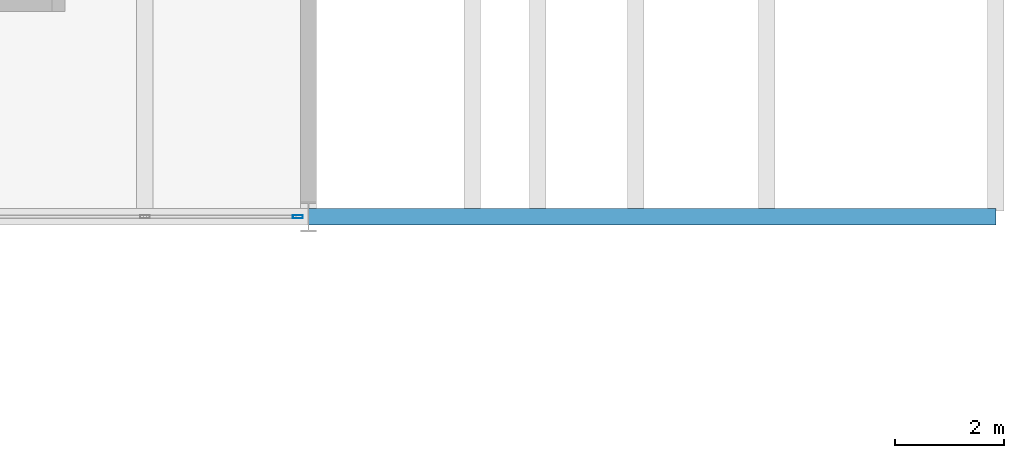
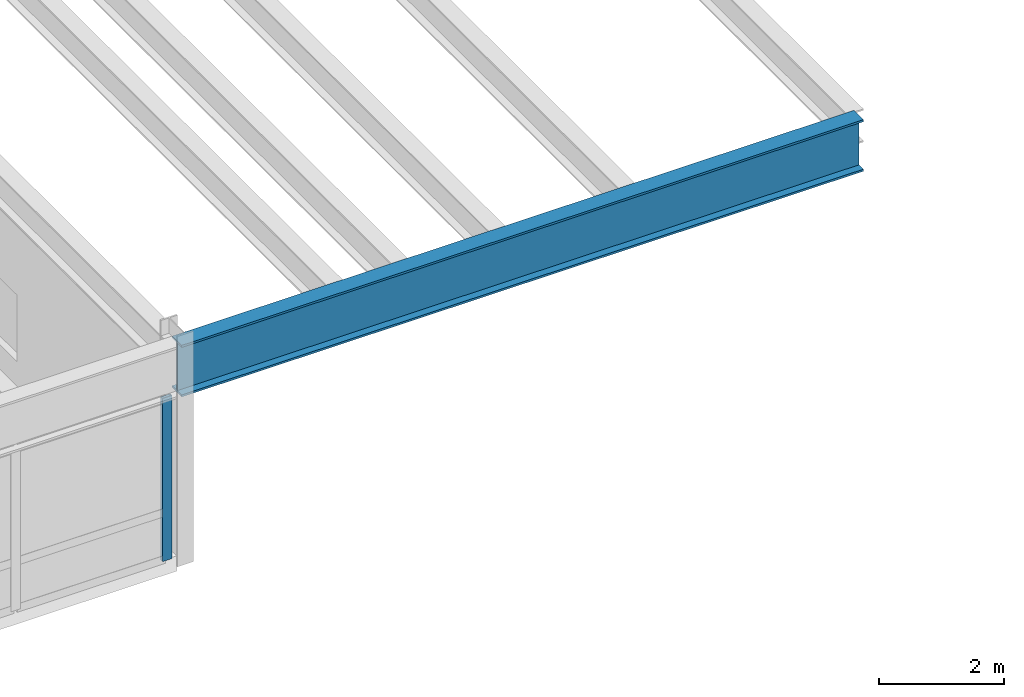
# One storey, part 93 of 127: 1 beam, 1 member, 1 element without a shape of its own.
"""IFC4 building model written with IfcOpenShell, lengths in metres."""

from ifc_helpers import new_model, si_unit, direction, frame, origin, origin_2d, place, context, subcontext, project, spatial, hollow_rectangle, i_section, extrude, material, layer, layer_set, material_profile, profile_set, type_object, element, aggregate, save


model = new_model("IFC4")

# Units and contexts
model_context = context("Model", 3, precision=1e-05, world=origin(), true_north=direction((0.0, 1.0)))
body_context = subcontext(model_context, "Body", "Model", "MODEL_VIEW")
ifc_project = project(units=[si_unit("LENGTHUNIT", "METRE"), si_unit("AREAUNIT", "SQUARE_METRE"), si_unit("VOLUMEUNIT", "CUBIC_METRE"), si_unit("PLANEANGLEUNIT", "RADIAN"), si_unit("MASSUNIT", "GRAM", prefix="KILO")], contexts=[model_context])

# Site, building, storey
site_placement = place(None, origin())
site = spatial("IfcSite", under=ifc_project, at=site_placement, CompositionType="ELEMENT")
building_placement = place(site_placement, origin())
building = spatial("IfcBuilding", under=site, at=building_placement, Name="Montelvaro Courts of Justice", CompositionType="ELEMENT")
storey_placement = place(building_placement, frame((0.0, 0.0, 5.39990234375)))
storey = spatial("IfcBuildingStorey", under=building, at=storey_placement, Name="L01", CompositionType="ELEMENT", Elevation=5.39990234375)

# Beam
ifc_material_1 = material(Name="Steel S355", Category="steel")
ifc_material_profile_1 = material_profile(ifc_material_1, i_section(OverallWidth=0.302001953125, OverallDepth=1.008056640625, WebThickness=0.02099609375, FlangeThickness=0.0400390625, at=origin_2d()), Name="HEM 1000")
ifc_profile_set_1 = profile_set([ifc_material_profile_1], Name="Steel S355")
beam_type = type_object("IfcBeamType", Name="Beam_HEM1000", PredefinedType="USERDEFINED", material=ifc_profile_set_1)
beam_placement = place(storey_placement, frame((162.0, 78.0, 3.696044921875), z_axis=(1.0, 0.0, 0.0), x_axis=(0.0, 1.0, 0.0)))
element("IfcBeam", 1, at=beam_placement, inside=storey, type_object=beam_type, Name="Pratt Cantilever Truss Chord CTR-V2-S-L02-OVH", ObjectType="GIRDER", PredefinedType="USERDEFINED", context=body_context, shape_type="SweptSolid", body=[
    extrude(i_section(OverallWidth=0.302001953125, OverallDepth=1.008056640625, WebThickness=0.02099609375, FlangeThickness=0.0400390625, at=origin_2d()), origin(), (0.0, 0.0, 1.0), 12.60009765625),
])

# Curtain wall, member
ifc_material_2 = material(Name="Anodised aluminium EN AW-6063", Category="aluminium")
ifc_layer = layer(ifc_material_2, 0.159912109375)
ifc_layer_set = layer_set([ifc_layer], Name="Anodised aluminium EN AW-6063")
curtain_wall_type = type_object("IfcCurtainWallType", Name="CurtainWall_21_849x418", PredefinedType="USERDEFINED", material=ifc_layer_set)
curtain_wall_placement = place(storey_placement, origin())
curtain_wall = element("IfcCurtainWall", 2, at=curtain_wall_placement, inside=storey, type_object=curtain_wall_type, Name="Curtain Wall CW-21 (L01)", ObjectType="CURTAIN WALL", PredefinedType="USERDEFINED")
ifc_material_profile_2 = material_profile(ifc_material_2, hollow_rectangle(XDim=0.06005859375, YDim=0.179931640625, WallThickness=0.00439453125, at=origin_2d()), Name="ALU-M 60x180")
ifc_profile_set_2 = profile_set([ifc_material_profile_2], Name="Anodised aluminium EN AW-6063")
member_type = type_object("IfcMemberType", Name="CurtainWall_Mullion_60x180", PredefinedType="MULLION", material=ifc_profile_set_2)
member_placement = place(storey_placement, frame((161.804931640625, 78.0, 0.0), z_axis=(0.0, 0.0, 1.0), x_axis=(0.0, 1.0, 0.0)))
member = element("IfcMember", 3, at=member_placement, type_object=member_type, Name="CW-21 mullion 4", PredefinedType="MULLION", context=body_context, shape_type="SweptSolid", body=[
    extrude(hollow_rectangle(XDim=0.06005859375, YDim=0.179931640625, WallThickness=0.00439453125, at=origin_2d()), origin(), (0.0, 0.0, 1.0), 3.18701171875),
])
aggregate(curtain_wall, [member])

save(model, "model.ifc")
